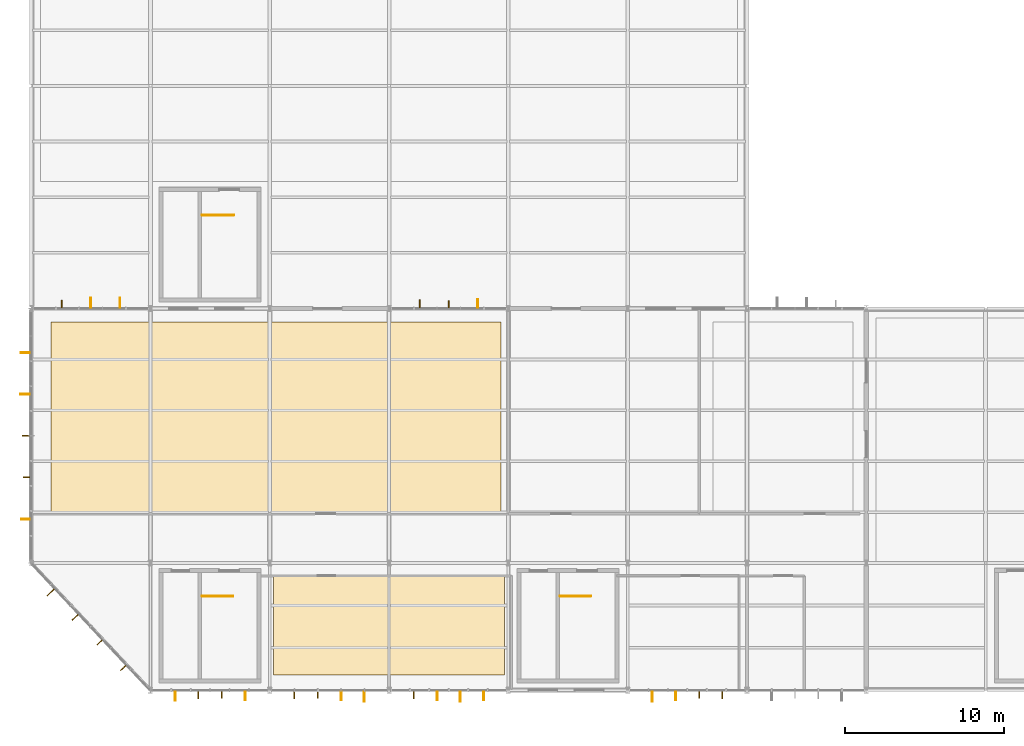
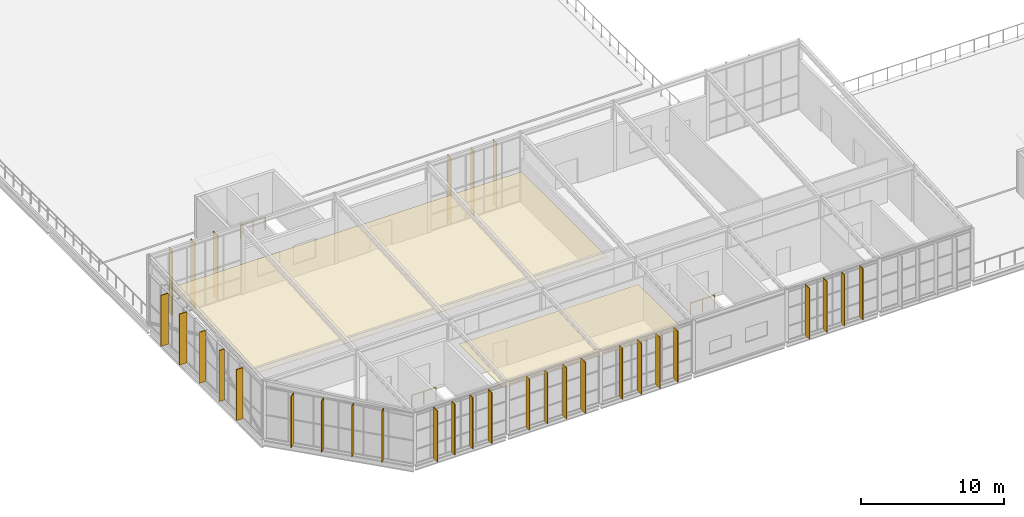
# One storey, part 100 of 104: 33 coverings, 3 railings.
"""IFC4 building model written with IfcOpenShell, lengths in metres."""

from ifc_helpers import new_model, si_unit, direction, frame, origin, origin_2d, place, context, subcontext, project, spatial, polyline, rectangle, circle, outline, extrude, material, layer, layer_set, type_object, element, save


model = new_model("IFC4")

# Units and contexts
model_context = context("Model", 3, precision=1e-05, world=origin(), true_north=direction((0.0, 1.0)))
body_context = subcontext(model_context, "Body", "Model", "MODEL_VIEW")
ifc_project = project(units=[si_unit("LENGTHUNIT", "METRE"), si_unit("AREAUNIT", "SQUARE_METRE"), si_unit("VOLUMEUNIT", "CUBIC_METRE"), si_unit("PLANEANGLEUNIT", "RADIAN"), si_unit("MASSUNIT", "GRAM", prefix="KILO")], contexts=[model_context])

# Site, building, storey
site_placement = place(None, origin())
site = spatial("IfcSite", under=ifc_project, at=site_placement, CompositionType="ELEMENT")
building_placement = place(site_placement, origin())
building = spatial("IfcBuilding", under=site, at=building_placement, Name="Solvenia Promenade Tram Depot", CompositionType="ELEMENT")
storey_placement = place(building_placement, frame((0.0, 0.0, 9.0)))
storey = spatial("IfcBuildingStorey", under=building, at=storey_placement, Name="L02", CompositionType="ELEMENT", Elevation=9.0)

# Coverings
ifc_material_1 = material(Name="Mineral-fibre acoustic ceiling tile", Category="other")
ifc_layer_1 = layer(ifc_material_1, 0.02001953125, Name="Mineral-fibre acoustic ceiling tile", Category="other")
ifc_layer_set_1 = layer_set([ifc_layer_1], Name="Mineral-fibre acoustic ceiling tile")
covering_type_1 = type_object("IfcCoveringType", Name="Ceiling-Acoustic-20", PredefinedType="CEILING", material=ifc_layer_set_1)
covering_1_placement = place(storey_placement, frame((0.0, 0.0, 3.14990234375)))
element("IfcCovering", 1, at=covering_1_placement, inside=storey, type_object=covering_type_1, Name="Training Classroom Alpha Acoustic Ceiling", PredefinedType="CEILING", context=body_context, shape_type="SweptSolid", body=[
    extrude(outline(polyline([(15.25, 0.949951171875), (29.75, 0.949951171875), (29.75, 7.159912109375), (15.25, 7.159912109375), (15.25, 0.949951171875)])), origin(), (0.0, 0.0, 1.0), 0.02001953125),
])
covering_2_placement = place(storey_placement, frame((0.0, 0.0, 3.14990234375)))
element("IfcCovering", 2, at=covering_2_placement, inside=storey, type_object=covering_type_1, Name="Staff Canteen Acoustic Ceiling", PredefinedType="CEILING", context=body_context, shape_type="SweptSolid", body=[
    extrude(outline(polyline([(1.25, 11.139892578125), (29.550048828125, 11.139892578125), (29.550048828125, 23.14990234375), (1.25, 23.14990234375), (1.25, 11.139892578125)])), origin(), (0.0, 0.0, 1.0), 0.02001953125),
])
ifc_material_2 = material(Name="Anodized aluminium AW-6063 T6", Category="aluminium")
ifc_layer_2 = layer(ifc_material_2, 0.06005859375, Name="Anodized aluminium AW-6063 T6", Category="aluminium")
ifc_layer_set_2 = layer_set([ifc_layer_2], Name="Anodized aluminium AW-6063 T6")
covering_type_2 = type_object("IfcCoveringType", Name="Fin-Param-560", PredefinedType="CLADDING", material=ifc_layer_set_2)
covering_3_placement = place(storey_placement, frame((1.2255859375, 6.142822265625, 0.0), z_axis=(0.0, 0.0, 1.0), x_axis=(0.683910700219, -0.729565729819, 0.0)))
element("IfcCovering", 3, at=covering_3_placement, inside=storey, type_object=covering_type_2, Name="Parametric Vertical Brise-Soleil Fin 371", PredefinedType="CLADDING", context=body_context, shape_type="SweptSolid", body=[
    extrude(rectangle(XDim=0.06005859375, YDim=0.60205078125, at=origin_2d()), origin(), (0.0, 0.0, 1.0), 4.35009765625),
])
covering_4_placement = place(storey_placement, frame((2.762451171875, 4.577392578125, 0.0), z_axis=(0.0, 0.0, 1.0), x_axis=(0.683910700219, -0.729565729819, 0.0)))
element("IfcCovering", 4, at=covering_4_placement, inside=storey, type_object=covering_type_2, Name="Parametric Vertical Brise-Soleil Fin 372", PredefinedType="CLADDING", context=body_context, shape_type="SweptSolid", body=[
    extrude(rectangle(XDim=0.06005859375, YDim=0.5009765625, at=origin_2d()), origin(), (0.0, 0.0, 1.0), 4.35009765625),
])
covering_5_placement = place(storey_placement, frame((4.289794921875, 3.0029296875, 0.0), z_axis=(0.0, 0.0, 1.0), x_axis=(0.683910700219, -0.729565729819, 0.0)))
element("IfcCovering", 5, at=covering_5_placement, inside=storey, type_object=covering_type_2, Name="Parametric Vertical Brise-Soleil Fin 373", PredefinedType="CLADDING", context=body_context, shape_type="SweptSolid", body=[
    extrude(rectangle(XDim=0.06005859375, YDim=0.426025390625, at=origin_2d()), origin(), (0.0, 0.0, 1.0), 4.35009765625),
])
covering_6_placement = place(storey_placement, frame((5.78369140625, 1.397216796875, 0.0), z_axis=(0.0, 0.0, 1.0), x_axis=(0.683910700219, -0.729565729819, 0.0)))
element("IfcCovering", 6, at=covering_6_placement, inside=storey, type_object=covering_type_2, Name="Parametric Vertical Brise-Soleil Fin 374", PredefinedType="CLADDING", context=body_context, shape_type="SweptSolid", body=[
    extrude(rectangle(XDim=0.06005859375, YDim=0.443115234375, at=origin_2d()), origin(), (0.0, 0.0, 1.0), 4.35009765625),
])
covering_7_placement = place(storey_placement, frame((9.048095703125, -0.366943359375, 0.0), z_axis=(0.0, 0.0, 1.0), x_axis=(1.0, 0.0, 0.0)))
element("IfcCovering", 7, at=covering_7_placement, inside=storey, type_object=covering_type_2, Name="Parametric Vertical Brise-Soleil Fin 375", PredefinedType="CLADDING", context=body_context, shape_type="SweptSolid", body=[
    extrude(rectangle(XDim=0.06005859375, YDim=0.583984375, at=origin_2d()), origin(), (0.0, 0.0, 1.0), 4.35009765625),
])
covering_8_placement = place(storey_placement, frame((10.51611328125, -0.302490234375, 0.0), z_axis=(0.0, 0.0, 1.0), x_axis=(1.0, 0.0, 0.0)))
element("IfcCovering", 8, at=covering_8_placement, inside=storey, type_object=covering_type_2, Name="Parametric Vertical Brise-Soleil Fin 376", PredefinedType="CLADDING", context=body_context, shape_type="SweptSolid", body=[
    extrude(rectangle(XDim=0.06005859375, YDim=0.455078125, at=origin_2d()), origin(), (0.0, 0.0, 1.0), 4.35009765625),
])
covering_9_placement = place(storey_placement, frame((11.98388671875, -0.29052734375, 0.0), z_axis=(0.0, 0.0, 1.0), x_axis=(1.0, 0.0, 0.0)))
element("IfcCovering", 9, at=covering_9_placement, inside=storey, type_object=covering_type_2, Name="Parametric Vertical Brise-Soleil Fin 377", PredefinedType="CLADDING", context=body_context, shape_type="SweptSolid", body=[
    extrude(rectangle(XDim=0.06005859375, YDim=0.430908203125, at=origin_2d()), origin(), (0.0, 0.0, 1.0), 4.35009765625),
])
covering_10_placement = place(storey_placement, frame((13.451904296875, -0.347412109375, 0.0), z_axis=(0.0, 0.0, 1.0), x_axis=(1.0, 0.0, 0.0)))
element("IfcCovering", 10, at=covering_10_placement, inside=storey, type_object=covering_type_2, Name="Parametric Vertical Brise-Soleil Fin 378", PredefinedType="CLADDING", context=body_context, shape_type="SweptSolid", body=[
    extrude(rectangle(XDim=0.06005859375, YDim=0.544921875, at=origin_2d()), origin(), (0.0, 0.0, 1.0), 4.35009765625),
])
covering_11_placement = place(storey_placement, frame((16.548095703125, -0.299072265625, 0.0), z_axis=(0.0, 0.0, 1.0), x_axis=(1.0, 0.0, 0.0)))
element("IfcCovering", 11, at=covering_11_placement, inside=storey, type_object=covering_type_2, Name="Parametric Vertical Brise-Soleil Fin 379", PredefinedType="CLADDING", context=body_context, shape_type="SweptSolid", body=[
    extrude(rectangle(XDim=0.06005859375, YDim=0.447998046875, at=origin_2d()), origin(), (0.0, 0.0, 1.0), 4.35009765625),
])
covering_12_placement = place(storey_placement, frame((18.01611328125, -0.29248046875, 0.0), z_axis=(0.0, 0.0, 1.0), x_axis=(1.0, 0.0, 0.0)))
element("IfcCovering", 12, at=covering_12_placement, inside=storey, type_object=covering_type_2, Name="Parametric Vertical Brise-Soleil Fin 380", PredefinedType="CLADDING", context=body_context, shape_type="SweptSolid", body=[
    extrude(rectangle(XDim=0.06005859375, YDim=0.43505859375, at=origin_2d()), origin(), (0.0, 0.0, 1.0), 4.35009765625),
])
covering_13_placement = place(storey_placement, frame((19.48388671875, -0.35205078125, 0.0), z_axis=(0.0, 0.0, 1.0), x_axis=(1.0, 0.0, 0.0)))
element("IfcCovering", 13, at=covering_13_placement, inside=storey, type_object=covering_type_2, Name="Parametric Vertical Brise-Soleil Fin 381", PredefinedType="CLADDING", context=body_context, shape_type="SweptSolid", body=[
    extrude(rectangle(XDim=0.06005859375, YDim=0.553955078125, at=origin_2d()), origin(), (0.0, 0.0, 1.0), 4.35009765625),
])
covering_14_placement = place(storey_placement, frame((20.951904296875, -0.39501953125, 0.0), z_axis=(0.0, 0.0, 1.0), x_axis=(1.0, 0.0, 0.0)))
element("IfcCovering", 14, at=covering_14_placement, inside=storey, type_object=covering_type_2, Name="Parametric Vertical Brise-Soleil Fin 382", PredefinedType="CLADDING", context=body_context, shape_type="SweptSolid", body=[
    extrude(rectangle(XDim=0.06005859375, YDim=0.639892578125, at=origin_2d()), origin(), (0.0, 0.0, 1.0), 4.35009765625),
])
covering_15_placement = place(storey_placement, frame((24.048095703125, -0.294921875, 0.0), z_axis=(0.0, 0.0, 1.0), x_axis=(1.0, 0.0, 0.0)))
element("IfcCovering", 15, at=covering_15_placement, inside=storey, type_object=covering_type_2, Name="Parametric Vertical Brise-Soleil Fin 383", PredefinedType="CLADDING", context=body_context, shape_type="SweptSolid", body=[
    extrude(rectangle(XDim=0.06005859375, YDim=0.43994140625, at=origin_2d()), origin(), (0.0, 0.0, 1.0), 4.35009765625),
])
covering_16_placement = place(storey_placement, frame((25.51611328125, -0.35693359375, 0.0), z_axis=(0.0, 0.0, 1.0), x_axis=(1.0, 0.0, 0.0)))
element("IfcCovering", 16, at=covering_16_placement, inside=storey, type_object=covering_type_2, Name="Parametric Vertical Brise-Soleil Fin 384", PredefinedType="CLADDING", context=body_context, shape_type="SweptSolid", body=[
    extrude(rectangle(XDim=0.06005859375, YDim=0.56396484375, at=origin_2d()), origin(), (0.0, 0.0, 1.0), 4.35009765625),
])
covering_17_placement = place(storey_placement, frame((26.98388671875, -0.39501953125, 0.0), z_axis=(0.0, 0.0, 1.0), x_axis=(1.0, 0.0, 0.0)))
element("IfcCovering", 17, at=covering_17_placement, inside=storey, type_object=covering_type_2, Name="Parametric Vertical Brise-Soleil Fin 385", PredefinedType="CLADDING", context=body_context, shape_type="SweptSolid", body=[
    extrude(rectangle(XDim=0.06005859375, YDim=0.639892578125, at=origin_2d()), origin(), (0.0, 0.0, 1.0), 4.35009765625),
])
covering_18_placement = place(storey_placement, frame((28.451904296875, -0.3564453125, 0.0), z_axis=(0.0, 0.0, 1.0), x_axis=(1.0, 0.0, 0.0)))
element("IfcCovering", 18, at=covering_18_placement, inside=storey, type_object=covering_type_2, Name="Parametric Vertical Brise-Soleil Fin 386", PredefinedType="CLADDING", context=body_context, shape_type="SweptSolid", body=[
    extrude(rectangle(XDim=0.06005859375, YDim=0.56298828125, at=origin_2d()), origin(), (0.0, 0.0, 1.0), 4.35009765625),
])
covering_19_placement = place(storey_placement, frame((39.048095703125, -0.39404296875, 0.0), z_axis=(0.0, 0.0, 1.0), x_axis=(1.0, 0.0, 0.0)))
element("IfcCovering", 19, at=covering_19_placement, inside=storey, type_object=covering_type_2, Name="Parametric Vertical Brise-Soleil Fin 387", PredefinedType="CLADDING", context=body_context, shape_type="SweptSolid", body=[
    extrude(rectangle(XDim=0.06005859375, YDim=0.637939453125, at=origin_2d()), origin(), (0.0, 0.0, 1.0), 4.35009765625),
])
covering_20_placement = place(storey_placement, frame((40.51611328125, -0.346923828125, 0.0), z_axis=(0.0, 0.0, 1.0), x_axis=(1.0, 0.0, 0.0)))
element("IfcCovering", 20, at=covering_20_placement, inside=storey, type_object=covering_type_2, Name="Parametric Vertical Brise-Soleil Fin 388", PredefinedType="CLADDING", context=body_context, shape_type="SweptSolid", body=[
    extrude(rectangle(XDim=0.06005859375, YDim=0.5439453125, at=origin_2d()), origin(), (0.0, 0.0, 1.0), 4.35009765625),
])
covering_21_placement = place(storey_placement, frame((41.98388671875, -0.2900390625, 0.0), z_axis=(0.0, 0.0, 1.0), x_axis=(1.0, 0.0, 0.0)))
element("IfcCovering", 21, at=covering_21_placement, inside=storey, type_object=covering_type_2, Name="Parametric Vertical Brise-Soleil Fin 389", PredefinedType="CLADDING", context=body_context, shape_type="SweptSolid", body=[
    extrude(rectangle(XDim=0.06005859375, YDim=0.429931640625, at=origin_2d()), origin(), (0.0, 0.0, 1.0), 4.35009765625),
])
covering_22_placement = place(storey_placement, frame((43.451904296875, -0.302490234375, 0.0), z_axis=(0.0, 0.0, 1.0), x_axis=(1.0, 0.0, 0.0)))
element("IfcCovering", 22, at=covering_22_placement, inside=storey, type_object=covering_type_2, Name="Parametric Vertical Brise-Soleil Fin 390", PredefinedType="CLADDING", context=body_context, shape_type="SweptSolid", body=[
    extrude(rectangle(XDim=0.06005859375, YDim=0.455078125, at=origin_2d()), origin(), (0.0, 0.0, 1.0), 4.35009765625),
])
covering_23_placement = place(storey_placement, frame((1.9150390625, 24.29296875, 0.0), z_axis=(0.0, 0.0, 1.0), x_axis=(1.0, 0.0, 0.0)))
element("IfcCovering", 23, at=covering_23_placement, inside=storey, type_object=covering_type_2, Name="Parametric Vertical Brise-Soleil Fin 395", PredefinedType="CLADDING", context=body_context, shape_type="SweptSolid", body=[
    extrude(rectangle(XDim=0.06005859375, YDim=0.466064453125, at=origin_2d()), origin(), (0.0, 0.0, 1.0), 5.550048828125),
])
covering_24_placement = place(storey_placement, frame((3.75, 24.361083984375, 0.0), z_axis=(0.0, 0.0, 1.0), x_axis=(1.0, 0.0, 0.0)))
element("IfcCovering", 24, at=covering_24_placement, inside=storey, type_object=covering_type_2, Name="Parametric Vertical Brise-Soleil Fin 396", PredefinedType="CLADDING", context=body_context, shape_type="SweptSolid", body=[
    extrude(rectangle(XDim=0.06005859375, YDim=0.60205078125, at=origin_2d()), origin(), (0.0, 0.0, 1.0), 5.550048828125),
])
covering_25_placement = place(storey_placement, frame((5.5849609375, 24.3740234375, 0.0), z_axis=(0.0, 0.0, 1.0), x_axis=(1.0, 0.0, 0.0)))
element("IfcCovering", 25, at=covering_25_placement, inside=storey, type_object=covering_type_2, Name="Parametric Vertical Brise-Soleil Fin 397", PredefinedType="CLADDING", context=body_context, shape_type="SweptSolid", body=[
    extrude(rectangle(XDim=0.06005859375, YDim=0.6279296875, at=origin_2d()), origin(), (0.0, 0.0, 1.0), 5.550048828125),
])
covering_26_placement = place(storey_placement, frame((24.4150390625, 24.3095703125, 0.0), z_axis=(0.0, 0.0, 1.0), x_axis=(1.0, 0.0, 0.0)))
element("IfcCovering", 26, at=covering_26_placement, inside=storey, type_object=covering_type_2, Name="Parametric Vertical Brise-Soleil Fin 398", PredefinedType="CLADDING", context=body_context, shape_type="SweptSolid", body=[
    extrude(rectangle(XDim=0.06005859375, YDim=0.4990234375, at=origin_2d()), origin(), (0.0, 0.0, 1.0), 5.550048828125),
])
covering_27_placement = place(storey_placement, frame((26.25, 24.27001953125, 0.0), z_axis=(0.0, 0.0, 1.0), x_axis=(1.0, 0.0, 0.0)))
element("IfcCovering", 27, at=covering_27_placement, inside=storey, type_object=covering_type_2, Name="Parametric Vertical Brise-Soleil Fin 399", PredefinedType="CLADDING", context=body_context, shape_type="SweptSolid", body=[
    extrude(rectangle(XDim=0.06005859375, YDim=0.419921875, at=origin_2d()), origin(), (0.0, 0.0, 1.0), 5.550048828125),
])
covering_28_placement = place(storey_placement, frame((28.0849609375, 24.314453125, 0.0), z_axis=(0.0, 0.0, 1.0), x_axis=(1.0, 0.0, 0.0)))
element("IfcCovering", 28, at=covering_28_placement, inside=storey, type_object=covering_type_2, Name="Parametric Vertical Brise-Soleil Fin 400", PredefinedType="CLADDING", context=body_context, shape_type="SweptSolid", body=[
    extrude(rectangle(XDim=0.06005859375, YDim=0.509033203125, at=origin_2d()), origin(), (0.0, 0.0, 1.0), 5.550048828125),
])
covering_29_placement = place(storey_placement, frame((-0.35107421875, 10.7666015625, 0.0), z_axis=(0.0, 0.0, 1.0), x_axis=(0.0, 1.0, 0.0)))
element("IfcCovering", 29, at=covering_29_placement, inside=storey, type_object=covering_type_2, Name="Parametric Vertical Brise-Soleil Fin 404", PredefinedType="CLADDING", context=body_context, shape_type="SweptSolid", body=[
    extrude(rectangle(XDim=0.06005859375, YDim=0.552001953125, at=origin_2d()), origin(), (0.0, 0.0, 1.0), 4.35009765625),
])
covering_30_placement = place(storey_placement, frame((-0.28759765625, 13.38330078125, 0.0), z_axis=(0.0, 0.0, 1.0), x_axis=(0.0, 1.0, 0.0)))
element("IfcCovering", 30, at=covering_30_placement, inside=storey, type_object=covering_type_2, Name="Parametric Vertical Brise-Soleil Fin 405", PredefinedType="CLADDING", context=body_context, shape_type="SweptSolid", body=[
    extrude(rectangle(XDim=0.06005859375, YDim=0.425048828125, at=origin_2d()), origin(), (0.0, 0.0, 1.0), 4.35009765625),
])
covering_31_placement = place(storey_placement, frame((-0.318603515625, 16.0, 0.0), z_axis=(0.0, 0.0, 1.0), x_axis=(0.0, 1.0, 0.0)))
element("IfcCovering", 31, at=covering_31_placement, inside=storey, type_object=covering_type_2, Name="Parametric Vertical Brise-Soleil Fin 406", PredefinedType="CLADDING", context=body_context, shape_type="SweptSolid", body=[
    extrude(rectangle(XDim=0.06005859375, YDim=0.487060546875, at=origin_2d()), origin(), (0.0, 0.0, 1.0), 4.35009765625),
])
covering_32_placement = place(storey_placement, frame((-0.387939453125, 18.61669921875, 0.0), z_axis=(0.0, 0.0, 1.0), x_axis=(0.0, 1.0, 0.0)))
element("IfcCovering", 32, at=covering_32_placement, inside=storey, type_object=covering_type_2, Name="Parametric Vertical Brise-Soleil Fin 407", PredefinedType="CLADDING", context=body_context, shape_type="SweptSolid", body=[
    extrude(rectangle(XDim=0.06005859375, YDim=0.6259765625, at=origin_2d()), origin(), (0.0, 0.0, 1.0), 4.35009765625),
])
covering_33_placement = place(storey_placement, frame((-0.37109375, 21.2333984375, 0.0), z_axis=(0.0, 0.0, 1.0), x_axis=(0.0, 1.0, 0.0)))
element("IfcCovering", 33, at=covering_33_placement, inside=storey, type_object=covering_type_2, Name="Parametric Vertical Brise-Soleil Fin 408", PredefinedType="CLADDING", context=body_context, shape_type="SweptSolid", body=[
    extrude(rectangle(XDim=0.06005859375, YDim=0.592041015625, at=origin_2d()), origin(), (0.0, 0.0, 1.0), 4.35009765625),
])

# Railings
railing_type = type_object("IfcRailingType", Name="Guard-Stair-1100", PredefinedType="GUARDRAIL", material=ifc_material_2)
for number, where, name in (
    (34, (10.75, 5.919921875, 0.0), "Top Stairwell Guard C1"),
    (35, (33.25, 5.919921875, 0.0), "Top Stairwell Guard C2"),
):
    element("IfcRailing", number, at=place(storey_placement, frame(where)), inside=storey, type_object=railing_type, Name=name, PredefinedType="GUARDRAIL", context=body_context, shape_type="SweptSolid", body=[
        extrude(circle(Radius=0.02392578125, at=origin_2d()), frame((0.0, 0.0, 1.09619140625), z_axis=(1.0, 0.0, 0.0), x_axis=(0.0, 1.0, 0.0)), (0.0, 0.0, 1.0), 1.93994140625),
        extrude(circle(Radius=0.02099609375, at=origin_2d()), origin(), (0.0, 0.0, 1.0), 1.072021484375),
        extrude(circle(Radius=0.02099609375, at=origin_2d()), frame((0.969970703125, 0.0, 0.0)), (0.0, 0.0, 1.0), 1.072021484375),
        extrude(circle(Radius=0.02099609375, at=origin_2d()), frame((1.93994140625, 0.0, 0.0)), (0.0, 0.0, 1.0), 1.072021484375),
    ])
railing_placement = place(storey_placement, frame((10.75, 29.8701171875, 0.0)))
element("IfcRailing", 36, at=railing_placement, inside=storey, type_object=railing_type, Name="Top Stairwell Guard C7", PredefinedType="GUARDRAIL", context=body_context, shape_type="SweptSolid", body=[
    extrude(circle(Radius=0.02392578125, at=origin_2d()), frame((0.0, 0.0, 1.09619140625), z_axis=(1.0, 0.0, 0.0), x_axis=(0.0, 1.0, 0.0)), (0.0, 0.0, 1.0), 2.0),
    extrude(circle(Radius=0.02099609375, at=origin_2d()), origin(), (0.0, 0.0, 1.0), 1.072021484375),
    extrude(circle(Radius=0.02099609375, at=origin_2d()), frame((1.0, 0.0, 0.0)), (0.0, 0.0, 1.0), 1.072021484375),
    extrude(circle(Radius=0.02099609375, at=origin_2d()), frame((2.0, 0.0, 0.0)), (0.0, 0.0, 1.0), 1.072021484375),
])

save(model, "model.ifc")
